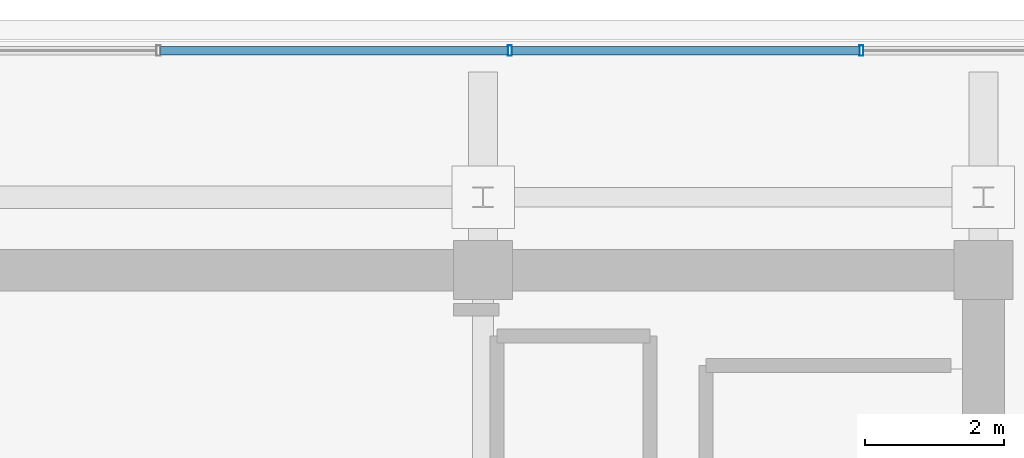
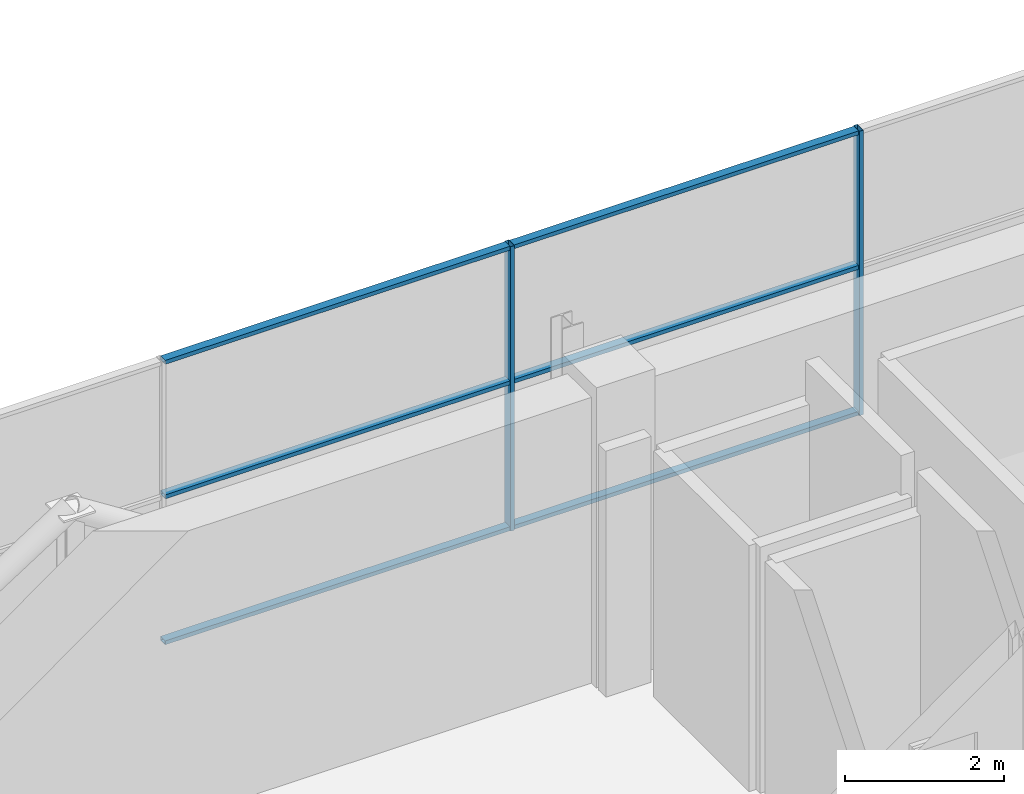
# One storey, part 21 of 28: 8 members, 1 element without a shape of its own.
"""IFC4 building model written with IfcOpenShell, lengths in metres."""

from ifc_helpers import new_model, si_unit, direction, frame, origin, origin_2d, place, context, subcontext, project, spatial, hollow_rectangle, extrude, source, transform, mapped, material, layer, layer_set, material_profile, profile_set, type_object, element, aggregate, save


model = new_model("IFC4")

# Units and contexts
model_context = context("Model", 3, precision=1e-05, world=origin(), true_north=direction((0.0, 1.0)))
body_context = subcontext(model_context, "Body", "Model", "MODEL_VIEW")
ifc_project = project(units=[si_unit("LENGTHUNIT", "METRE"), si_unit("AREAUNIT", "SQUARE_METRE"), si_unit("VOLUMEUNIT", "CUBIC_METRE"), si_unit("PLANEANGLEUNIT", "RADIAN"), si_unit("MASSUNIT", "GRAM", prefix="KILO")], contexts=[model_context])

# Site, building, storey
site_placement = place(None, origin())
site = spatial("IfcSite", under=ifc_project, at=site_placement, CompositionType="ELEMENT")
building_placement = place(site_placement, origin())
building = spatial("IfcBuilding", under=site, at=building_placement, Name="Zarnakvel Exchange Tower", CompositionType="ELEMENT")
storey_placement = place(building_placement, frame((0.0, 0.0, 271.60009765625)))
storey = spatial("IfcBuildingStorey", under=building, at=storey_placement, Name="Crown L77", CompositionType="ELEMENT", Elevation=271.60009765625)

# Curtain wall, members
ifc_material = material(Name="Architectural Bronze Anodised Aluminium", Category="aluminium")
ifc_layer = layer(ifc_material, 0.14990234375)
ifc_layer_set = layer_set([ifc_layer], Name="Architectural Bronze Anodised Aluminium")
curtain_wall_type = type_object("IfcCurtainWallType", Name="CW-07", PredefinedType="NOTDEFINED", material=ifc_layer_set)
curtain_wall_placement = place(storey_placement, origin())
curtain_wall = element("IfcCurtainWall", 1, at=curtain_wall_placement, inside=storey, type_object=curtain_wall_type, Name="Crown L77 Curtain Wall CW-Crown L77-N (CW-07)", PredefinedType="NOTDEFINED")
ifc_material_profile_1 = material_profile(ifc_material, hollow_rectangle(XDim=0.14990234375, YDim=0.06005859375, WallThickness=0.00390625, at=origin_2d()))
ifc_profile_set_1 = profile_set([ifc_material_profile_1], Name="Architectural Bronze Anodised Aluminium")
member_type_1 = type_object("IfcMemberType", Name="CWM-07", PredefinedType="MULLION", material=ifc_profile_set_1)
shared_shape_1 = source(origin(), body_context, "Body", "SweptSolid", [
    extrude(hollow_rectangle(XDim=0.14990234375, YDim=0.06005859375, WallThickness=0.00390625, at=origin_2d()), origin(), (0.0, 0.0, 1.0), 4.35986328125),
])
member_1_placement = place(storey_placement, frame((7.585693359375, 16.659912109375, 0.0), z_axis=(0.0, 0.0, 1.0), x_axis=(0.0, 1.0, 0.0)))
member_1 = element("IfcMember", 2, at=member_1_placement, type_object=member_type_1, Name="CW-07 mullion 6", PredefinedType="MULLION", context=body_context, shape_type="MappedRepresentation", body=[
    mapped(shared_shape_1, transform((0.0, 0.0, 0.0), x_axis=(1.0, 0.0, 0.0), y_axis=(0.0, 1.0, 0.0), z_axis=(0.0, 0.0, 1.0), scale=1.0)),
])
member_2_placement = place(storey_placement, frame((12.642822265625, 16.659912109375, 0.0), z_axis=(0.0, 0.0, 1.0), x_axis=(0.0, 1.0, 0.0)))
member_2 = element("IfcMember", 3, at=member_2_placement, type_object=member_type_1, Name="CW-07 mullion 7", PredefinedType="MULLION", context=body_context, shape_type="MappedRepresentation", body=[
    mapped(shared_shape_1, transform((0.0, 0.0, 0.0), x_axis=(1.0, 0.0, 0.0), y_axis=(0.0, 1.0, 0.0), z_axis=(0.0, 0.0, 1.0), scale=1.0)),
])
ifc_material_profile_2 = material_profile(ifc_material, hollow_rectangle(XDim=0.1201171875, YDim=0.06005859375, WallThickness=0.00390625, at=origin_2d()))
ifc_profile_set_2 = profile_set([ifc_material_profile_2], Name="Architectural Bronze Anodised Aluminium")
member_type_2 = type_object("IfcMemberType", Name="CWT-07", PredefinedType="USERDEFINED", material=ifc_profile_set_2)
shared_shape_2 = source(origin(), body_context, "Body", "SweptSolid", [
    extrude(hollow_rectangle(XDim=0.1201171875, YDim=0.06005859375, WallThickness=0.00390625, at=origin_2d()), origin(), (0.0, 0.0, 1.0), 4.9970703125),
])
member_3_placement = place(storey_placement, frame((2.55859375, 16.659912109375, 0.02978515625), z_axis=(1.0, 0.0, 0.0), x_axis=(0.0, 1.0, 0.0)))
member_3 = element("IfcMember", 4, at=member_3_placement, type_object=member_type_2, Name="CW-07 transom 5.1", ObjectType="TRANSOM", PredefinedType="USERDEFINED", context=body_context, shape_type="MappedRepresentation", body=[
    mapped(shared_shape_2, transform((0.0, 0.0, 0.0), x_axis=(1.0, 0.0, 0.0), y_axis=(0.0, 1.0, 0.0), z_axis=(0.0, 0.0, 1.0), scale=1.0)),
])
member_4_placement = place(storey_placement, frame((2.55859375, 16.659912109375, 2.26708984375), z_axis=(1.0, 0.0, 0.0), x_axis=(0.0, 1.0, 0.0)))
member_4 = element("IfcMember", 5, at=member_4_placement, type_object=member_type_2, Name="CW-07 transom 5.2", ObjectType="TRANSOM", PredefinedType="USERDEFINED", context=body_context, shape_type="MappedRepresentation", body=[
    mapped(shared_shape_2, transform((0.0, 0.0, 0.0), x_axis=(1.0, 0.0, 0.0), y_axis=(0.0, 1.0, 0.0), z_axis=(0.0, 0.0, 1.0), scale=1.0)),
])
member_5_placement = place(storey_placement, frame((2.55859375, 16.659912109375, 4.329833984375), z_axis=(1.0, 0.0, 0.0), x_axis=(0.0, 1.0, 0.0)))
member_5 = element("IfcMember", 6, at=member_5_placement, type_object=member_type_2, Name="CW-07 transom 5.3", ObjectType="TRANSOM", PredefinedType="USERDEFINED", context=body_context, shape_type="MappedRepresentation", body=[
    mapped(shared_shape_2, transform((0.0, 0.0, 0.0), x_axis=(1.0, 0.0, 0.0), y_axis=(0.0, 1.0, 0.0), z_axis=(0.0, 0.0, 1.0), scale=1.0)),
])
member_6_placement = place(storey_placement, frame((7.61572265625, 16.659912109375, 0.02978515625), z_axis=(1.0, 0.0, 0.0), x_axis=(0.0, 1.0, 0.0)))
member_6 = element("IfcMember", 7, at=member_6_placement, type_object=member_type_2, Name="CW-07 transom 6.1", ObjectType="TRANSOM", PredefinedType="USERDEFINED", context=body_context, shape_type="MappedRepresentation", body=[
    mapped(shared_shape_2, transform((0.0, 0.0, 0.0), x_axis=(1.0, 0.0, 0.0), y_axis=(0.0, 1.0, 0.0), z_axis=(0.0, 0.0, 1.0), scale=1.0)),
])
member_7_placement = place(storey_placement, frame((7.61572265625, 16.659912109375, 2.26708984375), z_axis=(1.0, 0.0, 0.0), x_axis=(0.0, 1.0, 0.0)))
member_7 = element("IfcMember", 8, at=member_7_placement, type_object=member_type_2, Name="CW-07 transom 6.2", ObjectType="TRANSOM", PredefinedType="USERDEFINED", context=body_context, shape_type="MappedRepresentation", body=[
    mapped(shared_shape_2, transform((0.0, 0.0, 0.0), x_axis=(1.0, 0.0, 0.0), y_axis=(0.0, 1.0, 0.0), z_axis=(0.0, 0.0, 1.0), scale=1.0)),
])
member_8_placement = place(storey_placement, frame((7.61572265625, 16.659912109375, 4.329833984375), z_axis=(1.0, 0.0, 0.0), x_axis=(0.0, 1.0, 0.0)))
member_8 = element("IfcMember", 9, at=member_8_placement, type_object=member_type_2, Name="CW-07 transom 6.3", ObjectType="TRANSOM", PredefinedType="USERDEFINED", context=body_context, shape_type="MappedRepresentation", body=[
    mapped(shared_shape_2, transform((0.0, 0.0, 0.0), x_axis=(1.0, 0.0, 0.0), y_axis=(0.0, 1.0, 0.0), z_axis=(0.0, 0.0, 1.0), scale=1.0)),
])
aggregate(curtain_wall, [member_1, member_2, member_3, member_4, member_5, member_6, member_7, member_8])

save(model, "model.ifc")
